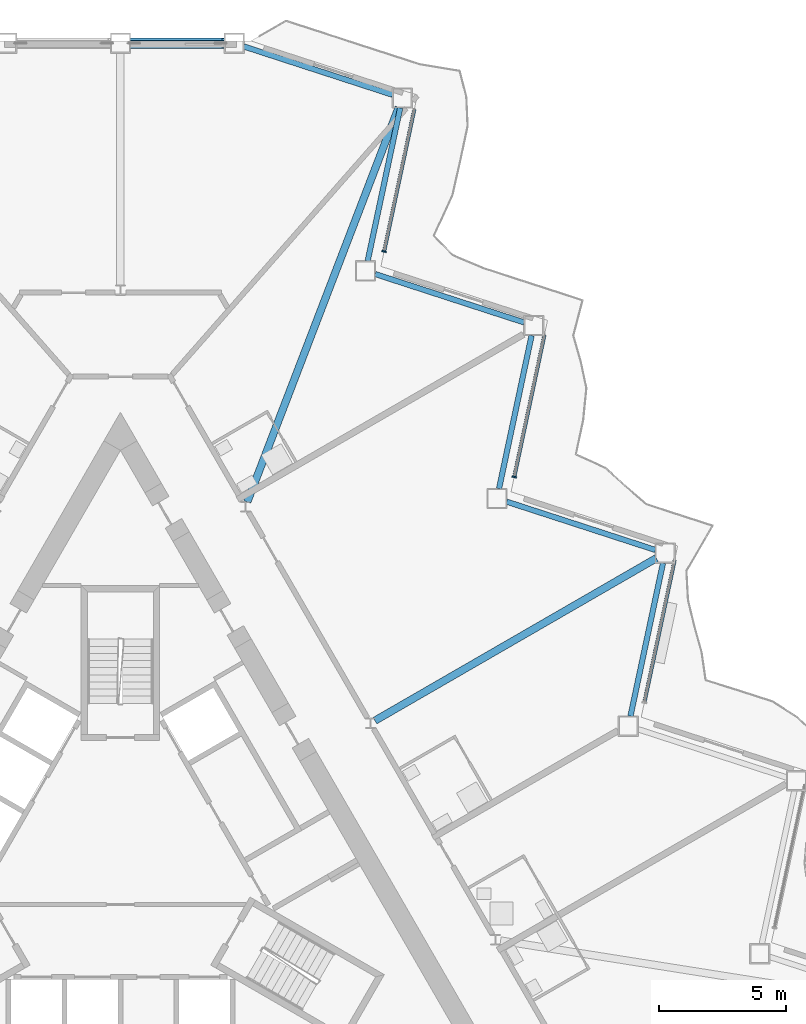
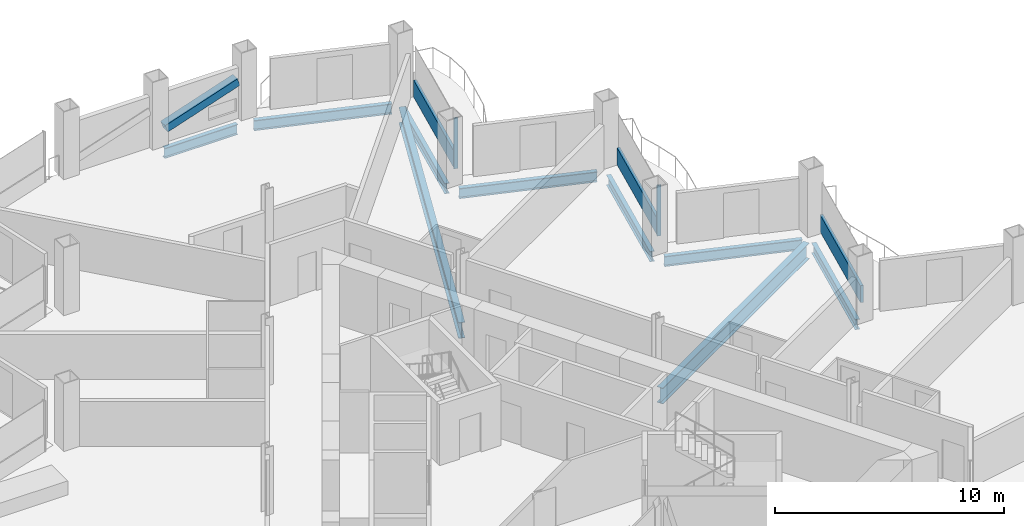
# One storey, part 8 of 23: 9 beams, 6 members, 3 elements without a shape of their own.
"""IFC4 building model written with IfcOpenShell, lengths in metres."""

from ifc_helpers import new_model, si_unit, direction, frame, origin, origin_2d, place, context, subcontext, project, spatial, rectangle, hollow_rectangle, i_section, extrude, material, layer, layer_set, material_profile, profile_set, type_object, element, aggregate, save


model = new_model("IFC4")

# Units and contexts
model_context = context("Model", 3, precision=1e-05, world=origin(), true_north=direction((0.0, 1.0)))
body_context = subcontext(model_context, "Body", "Model", "MODEL_VIEW")
ifc_project = project(units=[si_unit("LENGTHUNIT", "METRE"), si_unit("AREAUNIT", "SQUARE_METRE"), si_unit("VOLUMEUNIT", "CUBIC_METRE"), si_unit("PLANEANGLEUNIT", "RADIAN"), si_unit("MASSUNIT", "GRAM", prefix="KILO")], contexts=[model_context])

# Site, building, storey
site_placement = place(None, origin())
site = spatial("IfcSite", under=ifc_project, at=site_placement, CompositionType="ELEMENT")
building_placement = place(site_placement, origin())
building = spatial("IfcBuilding", under=site, at=building_placement, Name="Cormorant Prow Tower", CompositionType="ELEMENT")
storey_placement = place(building_placement, frame((0.0, 0.0, 176.39990234375)))
storey = spatial("IfcBuildingStorey", under=building, at=storey_placement, Name="L37", CompositionType="ELEMENT", Elevation=176.39990234375)

# Member
ifc_material_1 = material(Name="Structural steel ASTM A500 Gr C", Category="steel")
ifc_material_profile_1 = material_profile(ifc_material_1, hollow_rectangle(XDim=0.406494140625, YDim=0.406494140625, WallThickness=0.01171875, at=origin_2d()), Name="HSS16x16x1/2")
ifc_profile_set_1 = profile_set([ifc_material_profile_1], Name="Structural steel ASTM A500 Gr C")
member_type_1 = type_object("IfcMemberType", Name="Chamfer brace HSS16x16x1/2", PredefinedType="BRACE", material=ifc_profile_set_1)
member_1_placement = place(storey_placement, frame((0.417236328125, 32.3994140625, 0.740234375), z_axis=(0.947999999098, 0.0, 0.318270328039), x_axis=(0.0, 1.0, 0.0)))
element("IfcMember", 1, at=member_1_placement, inside=storey, type_object=member_type_1, Name="Chamfer brace BR2 at N00 L37", PredefinedType="BRACE", context=body_context, shape_type="SweptSolid", body=[
    extrude(hollow_rectangle(XDim=0.406494140625, YDim=0.406494140625, WallThickness=0.01171875, at=origin_2d()), origin(), (0.0, 0.0, 1.0), 3.83544921875),
])

# Curtain wall, member
ifc_material_2 = material(Name="Aluminium 6063-T6", Category="aluminium")
ifc_layer = layer(ifc_material_2, 0.179931640625)
ifc_layer_set = layer_set([ifc_layer], Name="Aluminium 6063-T6")
curtain_wall_type = type_object("IfcCurtainWallType", Name="Hotel unitised curtain wall 180", PredefinedType="NOTDEFINED", material=ifc_layer_set)
curtain_wall_1_placement = place(storey_placement, origin())
curtain_wall_1 = element("IfcCurtainWall", 2, at=curtain_wall_1_placement, inside=storey, type_object=curtain_wall_type, Name="Hotel curtain wall ENE06", PredefinedType="NOTDEFINED")
ifc_material_3 = material(Name="Aluminium 6063-T6", Category="aluminium")
ifc_material_profile_2 = material_profile(ifc_material_3, rectangle(XDim=0.179931640625, YDim=0.06005859375, at=origin_2d()), Name="Hotel mullion 60x180")
ifc_profile_set_2 = profile_set([ifc_material_profile_2], Name="Aluminium 6063-T6")
member_type_2 = type_object("IfcMemberType", Name="Hotel mullion 60x180", PredefinedType="MULLION", material=ifc_profile_set_2)
member_2_placement = place(storey_placement, frame((15.479736328125, 15.357421875, 0.0), z_axis=(0.0, 0.0, 1.0), x_axis=(-0.978147592729, 0.207911728478, 0.0)))
member_2 = element("IfcMember", 3, at=member_2_placement, type_object=member_type_2, Name="Hotel mullion ENE06", PredefinedType="MULLION", context=body_context, shape_type="SweptSolid", body=[
    extrude(rectangle(XDim=0.179931640625, YDim=0.06005859375, at=origin_2d()), origin(), (0.0, 0.0, 1.0), 2.700927734375),
])

curtain_wall_2_placement = place(storey_placement, origin())
curtain_wall_2 = element("IfcCurtainWall", 4, at=curtain_wall_2_placement, inside=storey, type_object=curtain_wall_type, Name="Hotel curtain wall ENE08", PredefinedType="NOTDEFINED")
member_3_placement = place(storey_placement, frame((10.364013671875, 24.218017578125, 0.0), z_axis=(0.0, 0.0, 1.0), x_axis=(-0.978147592729, 0.207911728478, 0.0)))
member_3 = element("IfcMember", 5, at=member_3_placement, type_object=member_type_2, Name="Hotel mullion ENE08", PredefinedType="MULLION", context=body_context, shape_type="SweptSolid", body=[
    extrude(rectangle(XDim=0.179931640625, YDim=0.06005859375, at=origin_2d()), origin(), (0.0, 0.0, 1.0), 2.700927734375),
])

curtain_wall_3_placement = place(storey_placement, origin())
curtain_wall_3 = element("IfcCurtainWall", 6, at=curtain_wall_3_placement, inside=storey, type_object=curtain_wall_type, Name="Hotel curtain wall ENE04", PredefinedType="NOTDEFINED")
ifc_material_4 = material(Name="Terracotta", Category="masonry")
ifc_material_profile_3 = material_profile(ifc_material_4, rectangle(XDim=0.139892578125, YDim=0.89990234375, at=origin_2d()), Name="Hotel terracotta spandrel rail 140x900")
ifc_profile_set_3 = profile_set([ifc_material_profile_3], Name="Terracotta")
member_type_3 = type_object("IfcMemberType", Name="Hotel terracotta spandrel rail 140x900", PredefinedType="USERDEFINED", material=ifc_profile_set_3)
member_4_placement = place(storey_placement, frame((20.6015625, 6.526123046875, 0.4501953125), z_axis=(0.207922412597, 0.978145321688, 0.0), x_axis=(-0.978145321688, 0.207922412597, 0.0)))
member_4 = element("IfcMember", 7, at=member_4_placement, type_object=member_type_3, Name="Hotel spandrel rail ENE04", ObjectType="TRANSOM", PredefinedType="USERDEFINED", context=body_context, shape_type="SweptSolid", body=[
    extrude(rectangle(XDim=0.139892578125, YDim=0.89990234375, at=origin_2d()), origin(), (0.0, 0.0, 1.0), 5.687744140625),
])
aggregate(curtain_wall_3, [member_4])

# Member
member_5_placement = place(storey_placement, frame((15.48583984375, 15.38671875, 0.4501953125), z_axis=(0.207913683204, 0.978147177237, 0.0), x_axis=(-0.978147177237, 0.207913683204, 0.0)))
member_5 = element("IfcMember", 8, at=member_5_placement, type_object=member_type_3, Name="Hotel spandrel rail ENE06", ObjectType="TRANSOM", PredefinedType="USERDEFINED", context=body_context, shape_type="SweptSolid", body=[
    extrude(rectangle(XDim=0.139892578125, YDim=0.89990234375, at=origin_2d()), origin(), (0.0, 0.0, 1.0), 5.68798828125),
])

aggregate(curtain_wall_1, [member_2, member_5])

member_6_placement = place(storey_placement, frame((10.3701171875, 24.24755859375, 0.4501953125), z_axis=(0.207922412597, 0.978145321688, 0.0), x_axis=(-0.978145321688, 0.207922412597, 0.0)))
member_6 = element("IfcMember", 9, at=member_6_placement, type_object=member_type_3, Name="Hotel spandrel rail ENE08", ObjectType="TRANSOM", PredefinedType="USERDEFINED", context=body_context, shape_type="SweptSolid", body=[
    extrude(rectangle(XDim=0.139892578125, YDim=0.89990234375, at=origin_2d()), origin(), (0.0, 0.0, 1.0), 5.687744140625),
])

aggregate(curtain_wall_2, [member_3, member_6])

# Beams
ifc_material_5 = material(Name="Structural steel ASTM A992 Gr 50", Category="steel")
ifc_material_profile_4 = material_profile(ifc_material_5, i_section(OverallWidth=0.29296875, OverallDepth=0.845703125, WebThickness=0.015380859375, FlangeThickness=0.0244140625, at=origin_2d()), Name="W33x141")
ifc_profile_set_4 = profile_set([ifc_material_profile_4], Name="Structural steel ASTM A992 Gr 50")
beam_type_1 = type_object("IfcBeamType", Name="Radial floor beam W33x141", PredefinedType="BEAM", material=ifc_profile_set_4)
beam_1_placement = place(storey_placement, frame((10.0048828125, 5.7763671875, -0.772705078125), z_axis=(0.866026069776, 0.499998846467, 0.0), x_axis=(-0.499998846467, 0.866026069776, 0.0)))
element("IfcBeam", 10, at=beam_1_placement, inside=storey, type_object=beam_type_1, Name="Radial floor beam FB2 11 L37", PredefinedType="BEAM", context=body_context, shape_type="SweptSolid", body=[
    extrude(i_section(OverallWidth=0.29296875, OverallDepth=0.845703125, WebThickness=0.015380859375, FlangeThickness=0.0244140625, at=origin_2d()), origin(), (0.0, 0.0, 1.0), 12.76904296875),
])
beam_2_placement = place(storey_placement, frame((4.9873046875, 14.376220703125, -0.772705078125), z_axis=(0.358301123829, 0.933606075742, 0.0), x_axis=(-0.933606075742, 0.358301123829, 0.0)))
element("IfcBeam", 11, at=beam_2_placement, inside=storey, type_object=beam_type_1, Name="Radial floor beam FB2 12 L37", PredefinedType="BEAM", context=body_context, shape_type="SweptSolid", body=[
    extrude(i_section(OverallWidth=0.29296875, OverallDepth=0.845703125, WebThickness=0.015380859375, FlangeThickness=0.0244140625, at=origin_2d()), origin(), (0.0, 0.0, 1.0), 16.604736328125),
])
ifc_material_6 = material(Name="Structural steel ASTM A992 Gr 50", Category="steel")
ifc_material_profile_5 = material_profile(ifc_material_6, i_section(OverallWidth=0.2138671875, OverallDepth=0.549072265625, WebThickness=0.0146484375, FlangeThickness=0.023681640625, at=origin_2d()), Name="W21x93")
ifc_profile_set_5 = profile_set([ifc_material_profile_5], Name="Structural steel ASTM A992 Gr 50")
beam_type_2 = type_object("IfcBeamType", Name="Spandrel beam W21x93", PredefinedType="SPANDREL", material=ifc_profile_set_5)
beam_3_placement = place(storey_placement, frame((20.0478515625, 5.9541015625, -0.62451171875), z_axis=(0.207904811195, 0.978149063018, 0.0), x_axis=(-0.978149063018, 0.207904811195, 0.0)))
element("IfcBeam", 12, at=beam_3_placement, inside=storey, type_object=beam_type_2, Name="Spandrel beam SB2 ENE04-ENE05 L37", PredefinedType="SPANDREL", context=body_context, shape_type="SweptSolid", body=[
    extrude(i_section(OverallWidth=0.2138671875, OverallDepth=0.549072265625, WebThickness=0.0146484375, FlangeThickness=0.023681640625, at=origin_2d()), origin(), (0.0, 0.0, 1.0), 6.149658203125),
])
beam_4_placement = place(storey_placement, frame((21.029052734375, 12.484375, -0.62451171875), z_axis=(-0.951057696564, 0.309013361859, 0.0), x_axis=(-0.309013361859, -0.951057696564, 0.0)))
element("IfcBeam", 13, at=beam_4_placement, inside=storey, type_object=beam_type_2, Name="Spandrel beam SB2 ENE05-ENE06 L37", PredefinedType="SPANDREL", context=body_context, shape_type="SweptSolid", body=[
    extrude(i_section(OverallWidth=0.2138671875, OverallDepth=0.549072265625, WebThickness=0.0146484375, FlangeThickness=0.023681640625, at=origin_2d()), origin(), (0.0, 0.0, 1.0), 6.14990234375),
])
beam_5_placement = place(storey_placement, frame((14.883056640625, 14.899658203125, -0.62451171875), z_axis=(0.207904811195, 0.978149063018, 0.0), x_axis=(-0.978149063018, 0.207904811195, 0.0)))
element("IfcBeam", 14, at=beam_5_placement, inside=storey, type_object=beam_type_2, Name="Spandrel beam SB2 ENE06-ENE07 L37", PredefinedType="SPANDREL", context=body_context, shape_type="SweptSolid", body=[
    extrude(i_section(OverallWidth=0.2138671875, OverallDepth=0.549072265625, WebThickness=0.0146484375, FlangeThickness=0.023681640625, at=origin_2d()), origin(), (0.0, 0.0, 1.0), 6.149658203125),
])
beam_6_placement = place(storey_placement, frame((15.864501953125, 21.429931640625, -0.62451171875), z_axis=(-0.951057696564, 0.309013361859, 0.0), x_axis=(-0.309013361859, -0.951057696564, 0.0)))
element("IfcBeam", 15, at=beam_6_placement, inside=storey, type_object=beam_type_2, Name="Spandrel beam SB2 ENE07-ENE08 L37", PredefinedType="SPANDREL", context=body_context, shape_type="SweptSolid", body=[
    extrude(i_section(OverallWidth=0.2138671875, OverallDepth=0.549072265625, WebThickness=0.0146484375, FlangeThickness=0.023681640625, at=origin_2d()), origin(), (0.0, 0.0, 1.0), 6.14990234375),
])
beam_7_placement = place(storey_placement, frame((9.71826171875, 23.84521484375, -0.62451171875), z_axis=(0.207904811195, 0.978149063018, 0.0), x_axis=(-0.978149063018, 0.207904811195, 0.0)))
element("IfcBeam", 16, at=beam_7_placement, inside=storey, type_object=beam_type_2, Name="Spandrel beam SB2 ENE08-ENE09 L37", PredefinedType="SPANDREL", context=body_context, shape_type="SweptSolid", body=[
    extrude(i_section(OverallWidth=0.2138671875, OverallDepth=0.549072265625, WebThickness=0.0146484375, FlangeThickness=0.023681640625, at=origin_2d()), origin(), (0.0, 0.0, 1.0), 6.149658203125),
])
beam_8_placement = place(storey_placement, frame((10.69970703125, 30.37548828125, -0.62451171875), z_axis=(-0.951057696564, 0.309013361859, 0.0), x_axis=(-0.309013361859, -0.951057696564, 0.0)))
element("IfcBeam", 17, at=beam_8_placement, inside=storey, type_object=beam_type_2, Name="Spandrel beam SB2 ENE09-N00 L37", PredefinedType="SPANDREL", context=body_context, shape_type="SweptSolid", body=[
    extrude(i_section(OverallWidth=0.2138671875, OverallDepth=0.549072265625, WebThickness=0.0146484375, FlangeThickness=0.023681640625, at=origin_2d()), origin(), (0.0, 0.0, 1.0), 6.14990234375),
])
beam_9_placement = place(storey_placement, frame((4.0703125, 32.3994140625, -0.62451171875), z_axis=(-1.0, 0.0, 0.0), x_axis=(0.0, -1.0, 0.0)))
element("IfcBeam", 18, at=beam_9_placement, inside=storey, type_object=beam_type_2, Name="Spandrel beam SB2 N00-N01 L37", PredefinedType="SPANDREL", context=body_context, shape_type="SweptSolid", body=[
    extrude(i_section(OverallWidth=0.2138671875, OverallDepth=0.549072265625, WebThickness=0.0146484375, FlangeThickness=0.023681640625, at=origin_2d()), origin(), (0.0, 0.0, 1.0), 3.67041015625),
])

save(model, "model.ifc")
